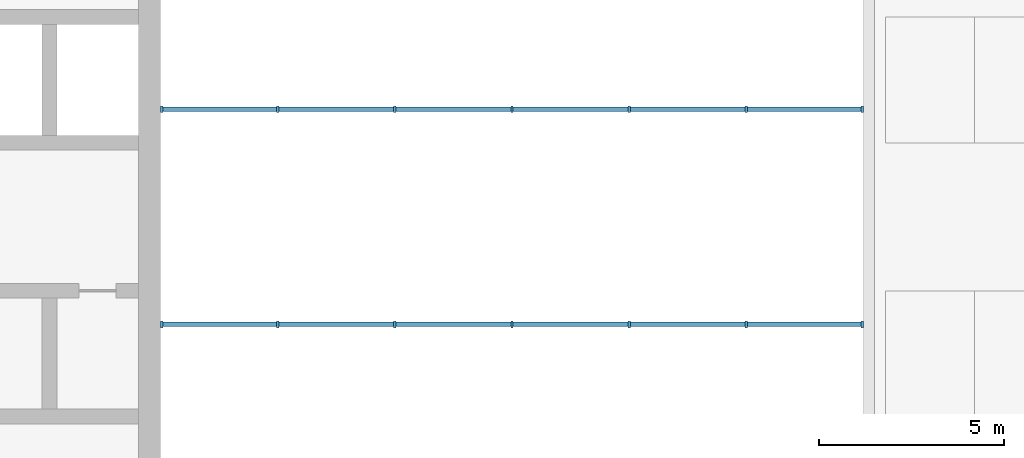
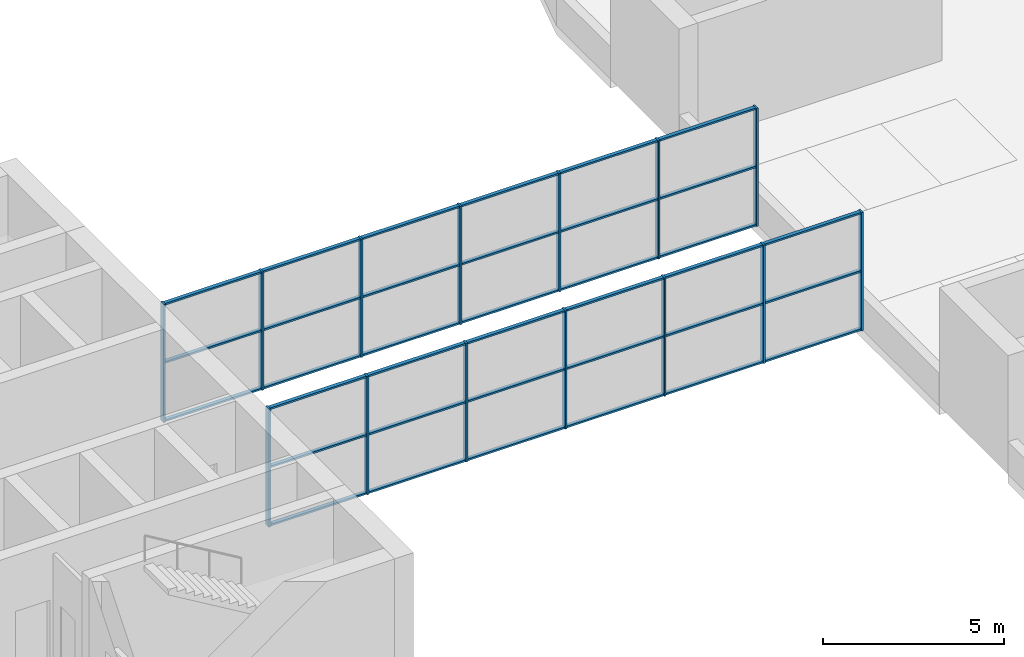
# One storey, part 2 of 11: 50 members, 2 elements without a shape of their own.
"""IFC4 building model written with IfcOpenShell, lengths in metres."""

from ifc_helpers import new_model, si_unit, direction, frame, origin, origin_2d, place, context, subcontext, project, spatial, rectangle, extrude, material, material_profile, profile_set, type_object, element, aggregate, save


model = new_model("IFC4")

# Units and contexts
model_context = context("Model", 3, precision=1e-05, world=origin(), true_north=direction((0.0, 1.0)))
body_context = subcontext(model_context, "Body", "Model", "MODEL_VIEW")
ifc_project = project(units=[si_unit("LENGTHUNIT", "METRE"), si_unit("AREAUNIT", "SQUARE_METRE"), si_unit("VOLUMEUNIT", "CUBIC_METRE"), si_unit("PLANEANGLEUNIT", "RADIAN"), si_unit("MASSUNIT", "GRAM", prefix="KILO")], contexts=[model_context])

# Site, building, storey
site_placement = place(None, origin())
site = spatial("IfcSite", under=ifc_project, at=site_placement, CompositionType="ELEMENT")
building_placement = place(site_placement, origin())
building = spatial("IfcBuilding", under=site, at=building_placement, Name="Skarvind Civic Tower", CompositionType="ELEMENT")
storey_placement = place(building_placement, frame((0.0, 0.0, 113.0)))
storey = spatial("IfcBuildingStorey", under=building, at=storey_placement, Name="L26", CompositionType="ELEMENT", Elevation=113.0)

# Curtain wall, members
ifc_material_1 = material(Name="Aluminium alloy 6063 and laminated glass", Category="aluminium")
curtain_wall_type = type_object("IfcCurtainWallType", Name="CW4 BRIDGE ENCLOSURE GLAZING", PredefinedType="NOTDEFINED", material=ifc_material_1)
curtain_wall_1_placement = place(storey_placement, origin())
curtain_wall_1 = element("IfcCurtainWall", 1, at=curtain_wall_1_placement, inside=storey, type_object=curtain_wall_type, Name="BRIDGE ENCLOSURE GLAZING", PredefinedType="NOTDEFINED")
ifc_material_2 = material(Name="Aluminium alloy 6063", Category="aluminium")
ifc_material_profile_1 = material_profile(ifc_material_2, rectangle(XDim=0.179931640625, YDim=0.06005859375, at=origin_2d()), Name="AL 60x180")
ifc_profile_set_1 = profile_set([ifc_material_profile_1], Name="Aluminium alloy 6063")
member_type_1 = type_object("IfcMemberType", Name="CW4 MULLION 60x180", PredefinedType="MULLION", material=ifc_profile_set_1)
member_1_placement = place(storey_placement, frame((126.969970703125, 125.090087890625, 0.0), z_axis=(0.0, 0.0, 1.0), x_axis=(0.0, -1.0, 0.0)))
member_1 = element("IfcMember", 2, at=member_1_placement, type_object=member_type_1, Name="CW4 mullion 1", PredefinedType="MULLION", context=body_context, shape_type="SweptSolid", body=[
    extrude(rectangle(XDim=0.179931640625, YDim=0.06005859375, at=origin_2d()), origin(), (0.0, 0.0, 1.0), 4.0),
])
member_2_placement = place(storey_placement, frame((123.833251953125, 125.090087890625, 0.0), z_axis=(0.0, 0.0, 1.0), x_axis=(0.0, -1.0, 0.0)))
member_2 = element("IfcMember", 3, at=member_2_placement, type_object=member_type_1, Name="CW4 mullion 2", PredefinedType="MULLION", context=body_context, shape_type="SweptSolid", body=[
    extrude(rectangle(XDim=0.179931640625, YDim=0.06005859375, at=origin_2d()), origin(), (0.0, 0.0, 1.0), 4.0),
])
member_3_placement = place(storey_placement, frame((120.666748046875, 125.090087890625, 0.0), z_axis=(0.0, 0.0, 1.0), x_axis=(0.0, -1.0, 0.0)))
member_3 = element("IfcMember", 4, at=member_3_placement, type_object=member_type_1, Name="CW4 mullion 3", PredefinedType="MULLION", context=body_context, shape_type="SweptSolid", body=[
    extrude(rectangle(XDim=0.179931640625, YDim=0.06005859375, at=origin_2d()), origin(), (0.0, 0.0, 1.0), 4.0),
])
member_4_placement = place(storey_placement, frame((117.5, 125.090087890625, 0.0), z_axis=(0.0, 0.0, 1.0), x_axis=(0.0, -1.0, 0.0)))
member_4 = element("IfcMember", 5, at=member_4_placement, type_object=member_type_1, Name="CW4 mullion 4", PredefinedType="MULLION", context=body_context, shape_type="SweptSolid", body=[
    extrude(rectangle(XDim=0.179931640625, YDim=0.06005859375, at=origin_2d()), origin(), (0.0, 0.0, 1.0), 4.0),
])
member_5_placement = place(storey_placement, frame((114.333251953125, 125.090087890625, 0.0), z_axis=(0.0, 0.0, 1.0), x_axis=(0.0, -1.0, 0.0)))
member_5 = element("IfcMember", 6, at=member_5_placement, type_object=member_type_1, Name="CW4 mullion 5", PredefinedType="MULLION", context=body_context, shape_type="SweptSolid", body=[
    extrude(rectangle(XDim=0.179931640625, YDim=0.06005859375, at=origin_2d()), origin(), (0.0, 0.0, 1.0), 4.0),
])
member_6_placement = place(storey_placement, frame((111.166748046875, 125.090087890625, 0.0), z_axis=(0.0, 0.0, 1.0), x_axis=(0.0, -1.0, 0.0)))
member_6 = element("IfcMember", 7, at=member_6_placement, type_object=member_type_1, Name="CW4 mullion 6", PredefinedType="MULLION", context=body_context, shape_type="SweptSolid", body=[
    extrude(rectangle(XDim=0.179931640625, YDim=0.06005859375, at=origin_2d()), origin(), (0.0, 0.0, 1.0), 4.0),
])
member_7_placement = place(storey_placement, frame((108.030029296875, 125.090087890625, 0.0), z_axis=(0.0, 0.0, 1.0), x_axis=(0.0, -1.0, 0.0)))
member_7 = element("IfcMember", 8, at=member_7_placement, type_object=member_type_1, Name="CW4 mullion 7", PredefinedType="MULLION", context=body_context, shape_type="SweptSolid", body=[
    extrude(rectangle(XDim=0.179931640625, YDim=0.06005859375, at=origin_2d()), origin(), (0.0, 0.0, 1.0), 4.0),
])

curtain_wall_2_placement = place(storey_placement, origin())
curtain_wall_2 = element("IfcCurtainWall", 9, at=curtain_wall_2_placement, inside=storey, type_object=curtain_wall_type, Name="BRIDGE ENCLOSURE GLAZING", PredefinedType="NOTDEFINED")
member_8_placement = place(storey_placement, frame((108.030029296875, 130.909912109375, 0.0), z_axis=(0.0, 0.0, 1.0), x_axis=(0.0, 1.0, 0.0)))
member_8 = element("IfcMember", 10, at=member_8_placement, type_object=member_type_1, Name="CW4 mullion 1", PredefinedType="MULLION", context=body_context, shape_type="SweptSolid", body=[
    extrude(rectangle(XDim=0.179931640625, YDim=0.06005859375, at=origin_2d()), origin(), (0.0, 0.0, 1.0), 4.0),
])
member_9_placement = place(storey_placement, frame((111.166748046875, 130.909912109375, 0.0), z_axis=(0.0, 0.0, 1.0), x_axis=(0.0, 1.0, 0.0)))
member_9 = element("IfcMember", 11, at=member_9_placement, type_object=member_type_1, Name="CW4 mullion 2", PredefinedType="MULLION", context=body_context, shape_type="SweptSolid", body=[
    extrude(rectangle(XDim=0.179931640625, YDim=0.06005859375, at=origin_2d()), origin(), (0.0, 0.0, 1.0), 4.0),
])
member_10_placement = place(storey_placement, frame((114.333251953125, 130.909912109375, 0.0), z_axis=(0.0, 0.0, 1.0), x_axis=(0.0, 1.0, 0.0)))
member_10 = element("IfcMember", 12, at=member_10_placement, type_object=member_type_1, Name="CW4 mullion 3", PredefinedType="MULLION", context=body_context, shape_type="SweptSolid", body=[
    extrude(rectangle(XDim=0.179931640625, YDim=0.06005859375, at=origin_2d()), origin(), (0.0, 0.0, 1.0), 4.0),
])
member_11_placement = place(storey_placement, frame((117.5, 130.909912109375, 0.0), z_axis=(0.0, 0.0, 1.0), x_axis=(0.0, 1.0, 0.0)))
member_11 = element("IfcMember", 13, at=member_11_placement, type_object=member_type_1, Name="CW4 mullion 4", PredefinedType="MULLION", context=body_context, shape_type="SweptSolid", body=[
    extrude(rectangle(XDim=0.179931640625, YDim=0.06005859375, at=origin_2d()), origin(), (0.0, 0.0, 1.0), 4.0),
])
member_12_placement = place(storey_placement, frame((120.666748046875, 130.909912109375, 0.0), z_axis=(0.0, 0.0, 1.0), x_axis=(0.0, 1.0, 0.0)))
member_12 = element("IfcMember", 14, at=member_12_placement, type_object=member_type_1, Name="CW4 mullion 5", PredefinedType="MULLION", context=body_context, shape_type="SweptSolid", body=[
    extrude(rectangle(XDim=0.179931640625, YDim=0.06005859375, at=origin_2d()), origin(), (0.0, 0.0, 1.0), 4.0),
])
member_13_placement = place(storey_placement, frame((123.833251953125, 130.909912109375, 0.0), z_axis=(0.0, 0.0, 1.0), x_axis=(0.0, 1.0, 0.0)))
member_13 = element("IfcMember", 15, at=member_13_placement, type_object=member_type_1, Name="CW4 mullion 6", PredefinedType="MULLION", context=body_context, shape_type="SweptSolid", body=[
    extrude(rectangle(XDim=0.179931640625, YDim=0.06005859375, at=origin_2d()), origin(), (0.0, 0.0, 1.0), 4.0),
])
member_14_placement = place(storey_placement, frame((126.969970703125, 130.909912109375, 0.0), z_axis=(0.0, 0.0, 1.0), x_axis=(0.0, 1.0, 0.0)))
member_14 = element("IfcMember", 16, at=member_14_placement, type_object=member_type_1, Name="CW4 mullion 7", PredefinedType="MULLION", context=body_context, shape_type="SweptSolid", body=[
    extrude(rectangle(XDim=0.179931640625, YDim=0.06005859375, at=origin_2d()), origin(), (0.0, 0.0, 1.0), 4.0),
])

# Member
ifc_material_profile_2 = material_profile(ifc_material_2, rectangle(XDim=0.1201171875, YDim=0.06005859375, at=origin_2d()), Name="AL 60x120")
ifc_profile_set_2 = profile_set([ifc_material_profile_2], Name="Aluminium alloy 6063")
member_type_2 = type_object("IfcMemberType", Name="CW4 TRANSOM 60x120", PredefinedType="USERDEFINED", material=ifc_profile_set_2)
member_15_placement = place(storey_placement, frame((126.93994140625, 125.090087890625, 0.030029296875), z_axis=(-1.0, 0.0, 0.0), x_axis=(0.0, -1.0, 0.0)))
member_15 = element("IfcMember", 17, at=member_15_placement, type_object=member_type_2, Name="CW4 transom 1.1", ObjectType="TRANSOM", PredefinedType="USERDEFINED", context=body_context, shape_type="SweptSolid", body=[
    extrude(rectangle(XDim=0.1201171875, YDim=0.06005859375, at=origin_2d()), origin(), (0.0, 0.0, 1.0), 3.07666015625),
])

member_16_placement = place(storey_placement, frame((126.93994140625, 125.090087890625, 2.0), z_axis=(-1.0, 0.0, 0.0), x_axis=(0.0, -1.0, 0.0)))
member_16 = element("IfcMember", 18, at=member_16_placement, type_object=member_type_2, Name="CW4 transom 1.2", ObjectType="TRANSOM", PredefinedType="USERDEFINED", context=body_context, shape_type="SweptSolid", body=[
    extrude(rectangle(XDim=0.1201171875, YDim=0.06005859375, at=origin_2d()), origin(), (0.0, 0.0, 1.0), 3.07666015625),
])

member_17_placement = place(storey_placement, frame((126.93994140625, 125.090087890625, 3.969970703125), z_axis=(-1.0, 0.0, 0.0), x_axis=(0.0, -1.0, 0.0)))
member_17 = element("IfcMember", 19, at=member_17_placement, type_object=member_type_2, Name="CW4 transom 1.3", ObjectType="TRANSOM", PredefinedType="USERDEFINED", context=body_context, shape_type="SweptSolid", body=[
    extrude(rectangle(XDim=0.1201171875, YDim=0.06005859375, at=origin_2d()), origin(), (0.0, 0.0, 1.0), 3.07666015625),
])

member_18_placement = place(storey_placement, frame((123.80322265625, 125.090087890625, 0.030029296875), z_axis=(-1.0, 0.0, 0.0), x_axis=(0.0, -1.0, 0.0)))
member_18 = element("IfcMember", 20, at=member_18_placement, type_object=member_type_2, Name="CW4 transom 2.1", ObjectType="TRANSOM", PredefinedType="USERDEFINED", context=body_context, shape_type="SweptSolid", body=[
    extrude(rectangle(XDim=0.1201171875, YDim=0.06005859375, at=origin_2d()), origin(), (0.0, 0.0, 1.0), 3.1064453125),
])

member_19_placement = place(storey_placement, frame((123.80322265625, 125.090087890625, 2.0), z_axis=(-1.0, 0.0, 0.0), x_axis=(0.0, -1.0, 0.0)))
member_19 = element("IfcMember", 21, at=member_19_placement, type_object=member_type_2, Name="CW4 transom 2.2", ObjectType="TRANSOM", PredefinedType="USERDEFINED", context=body_context, shape_type="SweptSolid", body=[
    extrude(rectangle(XDim=0.1201171875, YDim=0.06005859375, at=origin_2d()), origin(), (0.0, 0.0, 1.0), 3.1064453125),
])

member_20_placement = place(storey_placement, frame((123.80322265625, 125.090087890625, 3.969970703125), z_axis=(-1.0, 0.0, 0.0), x_axis=(0.0, -1.0, 0.0)))
member_20 = element("IfcMember", 22, at=member_20_placement, type_object=member_type_2, Name="CW4 transom 2.3", ObjectType="TRANSOM", PredefinedType="USERDEFINED", context=body_context, shape_type="SweptSolid", body=[
    extrude(rectangle(XDim=0.1201171875, YDim=0.06005859375, at=origin_2d()), origin(), (0.0, 0.0, 1.0), 3.1064453125),
])

member_21_placement = place(storey_placement, frame((120.63671875, 125.090087890625, 0.030029296875), z_axis=(-1.0, 0.0, 0.0), x_axis=(0.0, -1.0, 0.0)))
member_21 = element("IfcMember", 23, at=member_21_placement, type_object=member_type_2, Name="CW4 transom 3.1", ObjectType="TRANSOM", PredefinedType="USERDEFINED", context=body_context, shape_type="SweptSolid", body=[
    extrude(rectangle(XDim=0.1201171875, YDim=0.06005859375, at=origin_2d()), origin(), (0.0, 0.0, 1.0), 3.106689453125),
])

member_22_placement = place(storey_placement, frame((120.63671875, 125.090087890625, 2.0), z_axis=(-1.0, 0.0, 0.0), x_axis=(0.0, -1.0, 0.0)))
member_22 = element("IfcMember", 24, at=member_22_placement, type_object=member_type_2, Name="CW4 transom 3.2", ObjectType="TRANSOM", PredefinedType="USERDEFINED", context=body_context, shape_type="SweptSolid", body=[
    extrude(rectangle(XDim=0.1201171875, YDim=0.06005859375, at=origin_2d()), origin(), (0.0, 0.0, 1.0), 3.106689453125),
])

member_23_placement = place(storey_placement, frame((120.63671875, 125.090087890625, 3.969970703125), z_axis=(-1.0, 0.0, 0.0), x_axis=(0.0, -1.0, 0.0)))
member_23 = element("IfcMember", 25, at=member_23_placement, type_object=member_type_2, Name="CW4 transom 3.3", ObjectType="TRANSOM", PredefinedType="USERDEFINED", context=body_context, shape_type="SweptSolid", body=[
    extrude(rectangle(XDim=0.1201171875, YDim=0.06005859375, at=origin_2d()), origin(), (0.0, 0.0, 1.0), 3.106689453125),
])

member_24_placement = place(storey_placement, frame((117.469970703125, 125.090087890625, 0.030029296875), z_axis=(-1.0, 0.0, 0.0), x_axis=(0.0, -1.0, 0.0)))
member_24 = element("IfcMember", 26, at=member_24_placement, type_object=member_type_2, Name="CW4 transom 4.1", ObjectType="TRANSOM", PredefinedType="USERDEFINED", context=body_context, shape_type="SweptSolid", body=[
    extrude(rectangle(XDim=0.1201171875, YDim=0.06005859375, at=origin_2d()), origin(), (0.0, 0.0, 1.0), 3.106689453125),
])

member_25_placement = place(storey_placement, frame((117.469970703125, 125.090087890625, 2.0), z_axis=(-1.0, 0.0, 0.0), x_axis=(0.0, -1.0, 0.0)))
member_25 = element("IfcMember", 27, at=member_25_placement, type_object=member_type_2, Name="CW4 transom 4.2", ObjectType="TRANSOM", PredefinedType="USERDEFINED", context=body_context, shape_type="SweptSolid", body=[
    extrude(rectangle(XDim=0.1201171875, YDim=0.06005859375, at=origin_2d()), origin(), (0.0, 0.0, 1.0), 3.106689453125),
])

member_26_placement = place(storey_placement, frame((117.469970703125, 125.090087890625, 3.969970703125), z_axis=(-1.0, 0.0, 0.0), x_axis=(0.0, -1.0, 0.0)))
member_26 = element("IfcMember", 28, at=member_26_placement, type_object=member_type_2, Name="CW4 transom 4.3", ObjectType="TRANSOM", PredefinedType="USERDEFINED", context=body_context, shape_type="SweptSolid", body=[
    extrude(rectangle(XDim=0.1201171875, YDim=0.06005859375, at=origin_2d()), origin(), (0.0, 0.0, 1.0), 3.106689453125),
])

member_27_placement = place(storey_placement, frame((114.30322265625, 125.090087890625, 0.030029296875), z_axis=(-1.0, 0.0, 0.0), x_axis=(0.0, -1.0, 0.0)))
member_27 = element("IfcMember", 29, at=member_27_placement, type_object=member_type_2, Name="CW4 transom 5.1", ObjectType="TRANSOM", PredefinedType="USERDEFINED", context=body_context, shape_type="SweptSolid", body=[
    extrude(rectangle(XDim=0.1201171875, YDim=0.06005859375, at=origin_2d()), origin(), (0.0, 0.0, 1.0), 3.1064453125),
])

member_28_placement = place(storey_placement, frame((114.30322265625, 125.090087890625, 2.0), z_axis=(-1.0, 0.0, 0.0), x_axis=(0.0, -1.0, 0.0)))
member_28 = element("IfcMember", 30, at=member_28_placement, type_object=member_type_2, Name="CW4 transom 5.2", ObjectType="TRANSOM", PredefinedType="USERDEFINED", context=body_context, shape_type="SweptSolid", body=[
    extrude(rectangle(XDim=0.1201171875, YDim=0.06005859375, at=origin_2d()), origin(), (0.0, 0.0, 1.0), 3.1064453125),
])

member_29_placement = place(storey_placement, frame((114.30322265625, 125.090087890625, 3.969970703125), z_axis=(-1.0, 0.0, 0.0), x_axis=(0.0, -1.0, 0.0)))
member_29 = element("IfcMember", 31, at=member_29_placement, type_object=member_type_2, Name="CW4 transom 5.3", ObjectType="TRANSOM", PredefinedType="USERDEFINED", context=body_context, shape_type="SweptSolid", body=[
    extrude(rectangle(XDim=0.1201171875, YDim=0.06005859375, at=origin_2d()), origin(), (0.0, 0.0, 1.0), 3.1064453125),
])

member_30_placement = place(storey_placement, frame((111.13671875, 125.090087890625, 0.030029296875), z_axis=(-1.0, 0.0, 0.0), x_axis=(0.0, -1.0, 0.0)))
member_30 = element("IfcMember", 32, at=member_30_placement, type_object=member_type_2, Name="CW4 transom 6.1", ObjectType="TRANSOM", PredefinedType="USERDEFINED", context=body_context, shape_type="SweptSolid", body=[
    extrude(rectangle(XDim=0.1201171875, YDim=0.06005859375, at=origin_2d()), origin(), (0.0, 0.0, 1.0), 3.07666015625),
])

member_31_placement = place(storey_placement, frame((111.13671875, 125.090087890625, 2.0), z_axis=(-1.0, 0.0, 0.0), x_axis=(0.0, -1.0, 0.0)))
member_31 = element("IfcMember", 33, at=member_31_placement, type_object=member_type_2, Name="CW4 transom 6.2", ObjectType="TRANSOM", PredefinedType="USERDEFINED", context=body_context, shape_type="SweptSolid", body=[
    extrude(rectangle(XDim=0.1201171875, YDim=0.06005859375, at=origin_2d()), origin(), (0.0, 0.0, 1.0), 3.07666015625),
])

member_32_placement = place(storey_placement, frame((111.13671875, 125.090087890625, 3.969970703125), z_axis=(-1.0, 0.0, 0.0), x_axis=(0.0, -1.0, 0.0)))
member_32 = element("IfcMember", 34, at=member_32_placement, type_object=member_type_2, Name="CW4 transom 6.3", ObjectType="TRANSOM", PredefinedType="USERDEFINED", context=body_context, shape_type="SweptSolid", body=[
    extrude(rectangle(XDim=0.1201171875, YDim=0.06005859375, at=origin_2d()), origin(), (0.0, 0.0, 1.0), 3.07666015625),
])

aggregate(curtain_wall_1, [member_1, member_2, member_3, member_4, member_5, member_6, member_7, member_15, member_16, member_17, member_18, member_19, member_20, member_21, member_22, member_23, member_24, member_25, member_26, member_27, member_28, member_29, member_30, member_31, member_32])

member_33_placement = place(storey_placement, frame((108.06005859375, 130.909912109375, 0.030029296875), z_axis=(1.0, 0.0, 0.0), x_axis=(0.0, 1.0, 0.0)))
member_33 = element("IfcMember", 35, at=member_33_placement, type_object=member_type_2, Name="CW4 transom 1.1", ObjectType="TRANSOM", PredefinedType="USERDEFINED", context=body_context, shape_type="SweptSolid", body=[
    extrude(rectangle(XDim=0.1201171875, YDim=0.06005859375, at=origin_2d()), origin(), (0.0, 0.0, 1.0), 3.07666015625),
])

member_34_placement = place(storey_placement, frame((108.06005859375, 130.909912109375, 2.0), z_axis=(1.0, 0.0, 0.0), x_axis=(0.0, 1.0, 0.0)))
member_34 = element("IfcMember", 36, at=member_34_placement, type_object=member_type_2, Name="CW4 transom 1.2", ObjectType="TRANSOM", PredefinedType="USERDEFINED", context=body_context, shape_type="SweptSolid", body=[
    extrude(rectangle(XDim=0.1201171875, YDim=0.06005859375, at=origin_2d()), origin(), (0.0, 0.0, 1.0), 3.07666015625),
])

member_35_placement = place(storey_placement, frame((108.06005859375, 130.909912109375, 3.969970703125), z_axis=(1.0, 0.0, 0.0), x_axis=(0.0, 1.0, 0.0)))
member_35 = element("IfcMember", 37, at=member_35_placement, type_object=member_type_2, Name="CW4 transom 1.3", ObjectType="TRANSOM", PredefinedType="USERDEFINED", context=body_context, shape_type="SweptSolid", body=[
    extrude(rectangle(XDim=0.1201171875, YDim=0.06005859375, at=origin_2d()), origin(), (0.0, 0.0, 1.0), 3.07666015625),
])

member_36_placement = place(storey_placement, frame((111.19677734375, 130.909912109375, 0.030029296875), z_axis=(1.0, 0.0, 0.0), x_axis=(0.0, 1.0, 0.0)))
member_36 = element("IfcMember", 38, at=member_36_placement, type_object=member_type_2, Name="CW4 transom 2.1", ObjectType="TRANSOM", PredefinedType="USERDEFINED", context=body_context, shape_type="SweptSolid", body=[
    extrude(rectangle(XDim=0.1201171875, YDim=0.06005859375, at=origin_2d()), origin(), (0.0, 0.0, 1.0), 3.1064453125),
])

member_37_placement = place(storey_placement, frame((111.19677734375, 130.909912109375, 2.0), z_axis=(1.0, 0.0, 0.0), x_axis=(0.0, 1.0, 0.0)))
member_37 = element("IfcMember", 39, at=member_37_placement, type_object=member_type_2, Name="CW4 transom 2.2", ObjectType="TRANSOM", PredefinedType="USERDEFINED", context=body_context, shape_type="SweptSolid", body=[
    extrude(rectangle(XDim=0.1201171875, YDim=0.06005859375, at=origin_2d()), origin(), (0.0, 0.0, 1.0), 3.1064453125),
])

member_38_placement = place(storey_placement, frame((111.19677734375, 130.909912109375, 3.969970703125), z_axis=(1.0, 0.0, 0.0), x_axis=(0.0, 1.0, 0.0)))
member_38 = element("IfcMember", 40, at=member_38_placement, type_object=member_type_2, Name="CW4 transom 2.3", ObjectType="TRANSOM", PredefinedType="USERDEFINED", context=body_context, shape_type="SweptSolid", body=[
    extrude(rectangle(XDim=0.1201171875, YDim=0.06005859375, at=origin_2d()), origin(), (0.0, 0.0, 1.0), 3.1064453125),
])

member_39_placement = place(storey_placement, frame((114.36328125, 130.909912109375, 0.030029296875), z_axis=(1.0, 0.0, 0.0), x_axis=(0.0, 1.0, 0.0)))
member_39 = element("IfcMember", 41, at=member_39_placement, type_object=member_type_2, Name="CW4 transom 3.1", ObjectType="TRANSOM", PredefinedType="USERDEFINED", context=body_context, shape_type="SweptSolid", body=[
    extrude(rectangle(XDim=0.1201171875, YDim=0.06005859375, at=origin_2d()), origin(), (0.0, 0.0, 1.0), 3.106689453125),
])

member_40_placement = place(storey_placement, frame((114.36328125, 130.909912109375, 2.0), z_axis=(1.0, 0.0, 0.0), x_axis=(0.0, 1.0, 0.0)))
member_40 = element("IfcMember", 42, at=member_40_placement, type_object=member_type_2, Name="CW4 transom 3.2", ObjectType="TRANSOM", PredefinedType="USERDEFINED", context=body_context, shape_type="SweptSolid", body=[
    extrude(rectangle(XDim=0.1201171875, YDim=0.06005859375, at=origin_2d()), origin(), (0.0, 0.0, 1.0), 3.106689453125),
])

member_41_placement = place(storey_placement, frame((114.36328125, 130.909912109375, 3.969970703125), z_axis=(1.0, 0.0, 0.0), x_axis=(0.0, 1.0, 0.0)))
member_41 = element("IfcMember", 43, at=member_41_placement, type_object=member_type_2, Name="CW4 transom 3.3", ObjectType="TRANSOM", PredefinedType="USERDEFINED", context=body_context, shape_type="SweptSolid", body=[
    extrude(rectangle(XDim=0.1201171875, YDim=0.06005859375, at=origin_2d()), origin(), (0.0, 0.0, 1.0), 3.106689453125),
])

member_42_placement = place(storey_placement, frame((117.530029296875, 130.909912109375, 0.030029296875), z_axis=(1.0, 0.0, 0.0), x_axis=(0.0, 1.0, 0.0)))
member_42 = element("IfcMember", 44, at=member_42_placement, type_object=member_type_2, Name="CW4 transom 4.1", ObjectType="TRANSOM", PredefinedType="USERDEFINED", context=body_context, shape_type="SweptSolid", body=[
    extrude(rectangle(XDim=0.1201171875, YDim=0.06005859375, at=origin_2d()), origin(), (0.0, 0.0, 1.0), 3.106689453125),
])

member_43_placement = place(storey_placement, frame((117.530029296875, 130.909912109375, 2.0), z_axis=(1.0, 0.0, 0.0), x_axis=(0.0, 1.0, 0.0)))
member_43 = element("IfcMember", 45, at=member_43_placement, type_object=member_type_2, Name="CW4 transom 4.2", ObjectType="TRANSOM", PredefinedType="USERDEFINED", context=body_context, shape_type="SweptSolid", body=[
    extrude(rectangle(XDim=0.1201171875, YDim=0.06005859375, at=origin_2d()), origin(), (0.0, 0.0, 1.0), 3.106689453125),
])

member_44_placement = place(storey_placement, frame((117.530029296875, 130.909912109375, 3.969970703125), z_axis=(1.0, 0.0, 0.0), x_axis=(0.0, 1.0, 0.0)))
member_44 = element("IfcMember", 46, at=member_44_placement, type_object=member_type_2, Name="CW4 transom 4.3", ObjectType="TRANSOM", PredefinedType="USERDEFINED", context=body_context, shape_type="SweptSolid", body=[
    extrude(rectangle(XDim=0.1201171875, YDim=0.06005859375, at=origin_2d()), origin(), (0.0, 0.0, 1.0), 3.106689453125),
])

member_45_placement = place(storey_placement, frame((120.69677734375, 130.909912109375, 0.030029296875), z_axis=(1.0, 0.0, 0.0), x_axis=(0.0, 1.0, 0.0)))
member_45 = element("IfcMember", 47, at=member_45_placement, type_object=member_type_2, Name="CW4 transom 5.1", ObjectType="TRANSOM", PredefinedType="USERDEFINED", context=body_context, shape_type="SweptSolid", body=[
    extrude(rectangle(XDim=0.1201171875, YDim=0.06005859375, at=origin_2d()), origin(), (0.0, 0.0, 1.0), 3.1064453125),
])

member_46_placement = place(storey_placement, frame((120.69677734375, 130.909912109375, 2.0), z_axis=(1.0, 0.0, 0.0), x_axis=(0.0, 1.0, 0.0)))
member_46 = element("IfcMember", 48, at=member_46_placement, type_object=member_type_2, Name="CW4 transom 5.2", ObjectType="TRANSOM", PredefinedType="USERDEFINED", context=body_context, shape_type="SweptSolid", body=[
    extrude(rectangle(XDim=0.1201171875, YDim=0.06005859375, at=origin_2d()), origin(), (0.0, 0.0, 1.0), 3.1064453125),
])

member_47_placement = place(storey_placement, frame((120.69677734375, 130.909912109375, 3.969970703125), z_axis=(1.0, 0.0, 0.0), x_axis=(0.0, 1.0, 0.0)))
member_47 = element("IfcMember", 49, at=member_47_placement, type_object=member_type_2, Name="CW4 transom 5.3", ObjectType="TRANSOM", PredefinedType="USERDEFINED", context=body_context, shape_type="SweptSolid", body=[
    extrude(rectangle(XDim=0.1201171875, YDim=0.06005859375, at=origin_2d()), origin(), (0.0, 0.0, 1.0), 3.1064453125),
])

member_48_placement = place(storey_placement, frame((123.86328125, 130.909912109375, 0.030029296875), z_axis=(1.0, 0.0, 0.0), x_axis=(0.0, 1.0, 0.0)))
member_48 = element("IfcMember", 50, at=member_48_placement, type_object=member_type_2, Name="CW4 transom 6.1", ObjectType="TRANSOM", PredefinedType="USERDEFINED", context=body_context, shape_type="SweptSolid", body=[
    extrude(rectangle(XDim=0.1201171875, YDim=0.06005859375, at=origin_2d()), origin(), (0.0, 0.0, 1.0), 3.07666015625),
])

member_49_placement = place(storey_placement, frame((123.86328125, 130.909912109375, 2.0), z_axis=(1.0, 0.0, 0.0), x_axis=(0.0, 1.0, 0.0)))
member_49 = element("IfcMember", 51, at=member_49_placement, type_object=member_type_2, Name="CW4 transom 6.2", ObjectType="TRANSOM", PredefinedType="USERDEFINED", context=body_context, shape_type="SweptSolid", body=[
    extrude(rectangle(XDim=0.1201171875, YDim=0.06005859375, at=origin_2d()), origin(), (0.0, 0.0, 1.0), 3.07666015625),
])

member_50_placement = place(storey_placement, frame((123.86328125, 130.909912109375, 3.969970703125), z_axis=(1.0, 0.0, 0.0), x_axis=(0.0, 1.0, 0.0)))
member_50 = element("IfcMember", 52, at=member_50_placement, type_object=member_type_2, Name="CW4 transom 6.3", ObjectType="TRANSOM", PredefinedType="USERDEFINED", context=body_context, shape_type="SweptSolid", body=[
    extrude(rectangle(XDim=0.1201171875, YDim=0.06005859375, at=origin_2d()), origin(), (0.0, 0.0, 1.0), 3.07666015625),
])

aggregate(curtain_wall_2, [member_8, member_9, member_10, member_11, member_12, member_13, member_14, member_33, member_34, member_35, member_36, member_37, member_38, member_39, member_40, member_41, member_42, member_43, member_44, member_45, member_46, member_47, member_48, member_49, member_50])

save(model, "model.ifc")
